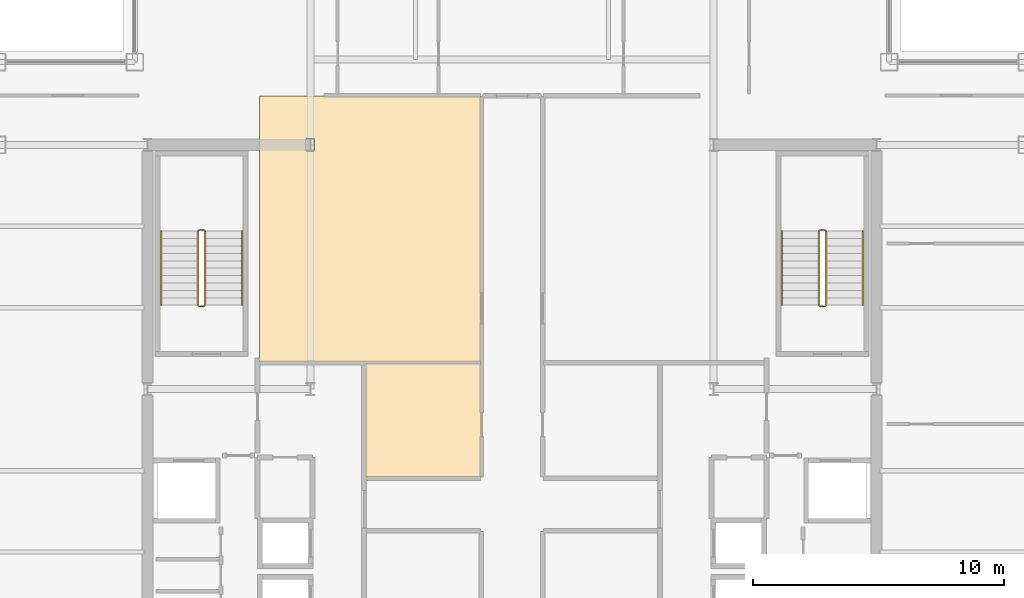
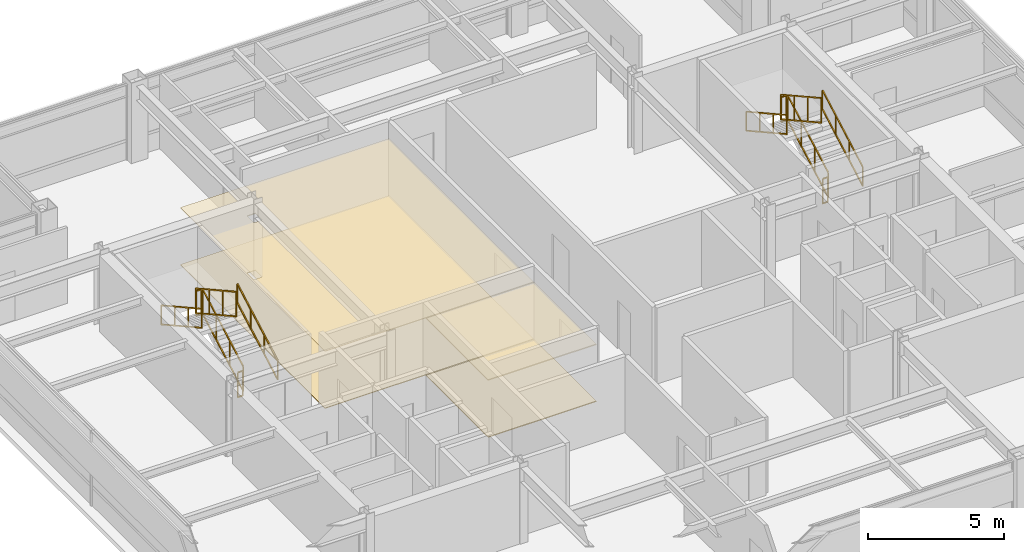
# One storey, part 26 of 26: 12 railings, 4 coverings.
"""IFC4 building model written with IfcOpenShell, lengths in metres."""

from ifc_helpers import new_model, si_unit, direction, frame, origin, origin_2d, place, context, subcontext, project, spatial, polyline, rectangle, outline, extrude, material, layer, layer_set, type_object, element, save


model = new_model("IFC4")

# Units and contexts
model_context = context("Model", 3, precision=1e-05, world=origin(), true_north=direction((0.0, 1.0)))
body_context = subcontext(model_context, "Body", "Model", "MODEL_VIEW")
ifc_project = project(units=[si_unit("LENGTHUNIT", "METRE"), si_unit("AREAUNIT", "SQUARE_METRE"), si_unit("VOLUMEUNIT", "CUBIC_METRE"), si_unit("PLANEANGLEUNIT", "RADIAN"), si_unit("MASSUNIT", "GRAM", prefix="KILO")], contexts=[model_context])

# Site, building, storey
site_placement = place(None, origin())
site = spatial("IfcSite", under=ifc_project, at=site_placement, CompositionType="ELEMENT")
building_placement = place(site_placement, origin())
building = spatial("IfcBuilding", under=site, at=building_placement, Name="Brelmoor Portico Tower", CompositionType="ELEMENT")
storey_placement = place(building_placement, frame((0.0, 0.0, 205.5)))
storey = spatial("IfcBuildingStorey", under=building, at=storey_placement, Name="L54", CompositionType="ELEMENT", Elevation=205.5)

# Coverings
ifc_material_1 = material(Name="Powder-Coated Aluminium Acoustic Baffle Ceiling", Category="aluminium")
ifc_layer_1 = layer(ifc_material_1, 0.044921875)
ifc_layer_set_1 = layer_set([ifc_layer_1], Name="Powder-Coated Aluminium Acoustic Baffle Ceiling")
covering_type_1 = type_object("IfcCoveringType", Name="CV-CEIL-BAFFLE-45", PredefinedType="CEILING", material=ifc_layer_set_1)
covering_1_placement = place(storey_placement, frame((0.0, 0.0, 2.550048828125)))
element("IfcCovering", 1, at=covering_1_placement, inside=storey, type_object=covering_type_1, Name="L54 Acoustic Suspended Ceiling 02", PredefinedType="CEILING", context=body_context, shape_type="SweptSolid", body=[
    extrude(outline(polyline([(-5.820068359375, -3.510009765625), (-5.820068359375, 1.0400390625), (-1.239990234375, 1.0400390625), (-1.239990234375, -3.510009765625), (-5.820068359375, -3.510009765625)])), origin(), (0.0, 0.0, 1.0), 0.044921875),
])
ifc_material_2 = material(Name="Micro-Perforated Aluminium Clip-In Ceiling", Category="aluminium")
ifc_layer_2 = layer(ifc_material_2, 0.031982421875)
ifc_layer_set_2 = layer_set([ifc_layer_2], Name="Micro-Perforated Aluminium Clip-In Ceiling")
covering_type_2 = type_object("IfcCoveringType", Name="CV-CEIL-METAL-32", PredefinedType="CEILING", material=ifc_layer_set_2)
covering_2_placement = place(storey_placement, frame((0.0, 0.0, 2.550048828125)))
element("IfcCovering", 2, at=covering_2_placement, inside=storey, type_object=covering_type_2, Name="L54 Acoustic Suspended Ceiling 01", PredefinedType="CEILING", context=body_context, shape_type="SweptSolid", body=[
    extrude(outline(polyline([(-10.080078125, 11.68994140625), (-1.239990234375, 11.68994140625), (-1.239990234375, 1.090087890625), (-10.080078125, 1.090087890625), (-10.080078125, 11.68994140625)]), holes=[polyline([(-7.875, 9.5), (-7.875, 10.0), (-8.22509765625, 10.0), (-8.22509765625, 9.5), (-7.875, 9.5)])]), origin(), (0.0, 0.0, 1.0), 0.031982421875),
])
ifc_material_3 = material(Name="Honed Pearl-Grey Granite Paver Finish", Category="masonry")
ifc_layer_3 = layer(ifc_material_3, 0.0380859375)
ifc_layer_set_3 = layer_set([ifc_layer_3], Name="Honed Pearl-Grey Granite Paver Finish")
covering_type_3 = type_object("IfcCoveringType", Name="CV-FLR-GRANITE-38", PredefinedType="FLOORING", material=ifc_layer_set_3)
covering_3_placement = place(storey_placement, origin())
element("IfcCovering", 3, at=covering_3_placement, inside=storey, type_object=covering_type_3, Name="L54 Architectural Floor Finish 02", PredefinedType="FLOORING", context=body_context, shape_type="SweptSolid", body=[
    extrude(outline(polyline([(-5.820068359375, -3.510009765625), (-5.820068359375, 1.0400390625), (-1.239990234375, 1.0400390625), (-1.239990234375, -3.510009765625), (-5.820068359375, -3.510009765625)])), origin(), (0.0, 0.0, 1.0), 0.0380859375),
])
ifc_material_4 = material(Name="Polished Pale-Aggregate Cementitious Terrazzo", Category="stone")
ifc_layer_4 = layer(ifc_material_4, 0.030029296875)
ifc_layer_set_4 = layer_set([ifc_layer_4], Name="Polished Pale-Aggregate Cementitious Terrazzo")
covering_type_4 = type_object("IfcCoveringType", Name="CV-FLR-TERRAZZO-30", PredefinedType="FLOORING", material=ifc_layer_set_4)
covering_4_placement = place(storey_placement, origin())
element("IfcCovering", 4, at=covering_4_placement, inside=storey, type_object=covering_type_4, Name="L54 Architectural Floor Finish 01", PredefinedType="FLOORING", context=body_context, shape_type="SweptSolid", body=[
    extrude(outline(polyline([(-10.080078125, 11.68994140625), (-1.239990234375, 11.68994140625), (-1.239990234375, 1.090087890625), (-10.080078125, 1.090087890625), (-10.080078125, 11.68994140625)]), holes=[polyline([(-7.875, 9.5), (-7.875, 10.0), (-8.22509765625, 10.0), (-8.22509765625, 9.5), (-7.875, 9.5)])]), origin(), (0.0, 0.0, 1.0), 0.030029296875),
])

# Railings
ifc_material_5 = material(Name="Painted Tubular Steel Q235B", Category="steel")
railing_type_1 = type_object("IfcRailingType", Name="RL-STAIR-GUARD", PredefinedType="GUARDRAIL", material=ifc_material_5)
railing_1_placement = place(storey_placement, frame((-12.239990234375, 3.35009765625, 0.16357421875)))
element("IfcRailing", 5, at=railing_1_placement, inside=storey, type_object=railing_type_1, Name="L54 ST-W stair guard 1", PredefinedType="GUARDRAIL", context=body_context, shape_type="SweptSolid", body=[
    extrude(rectangle(XDim=0.048095703125, YDim=0.048095703125, at=origin_2d()), frame((0.0, 0.0, 1.1259765625), z_axis=(0.0, 0.874457516365, 0.485102104791), x_axis=(-1.0, 0.0, 0.0)), (0.0, 0.0, 1.0), 3.37353515625),
    extrude(rectangle(XDim=0.048095703125, YDim=0.048095703125, at=origin_2d()), frame((0.0, 0.0, 0.02392578125), z_axis=(0.0, 0.874457516365, 0.485102104791), x_axis=(-1.0, 0.0, 0.0)), (0.0, 0.0, 1.0), 3.37353515625),
    extrude(rectangle(XDim=0.0419921875, YDim=0.0419921875, at=origin_2d()), origin(), (0.0, 0.0, 1.0), 1.101806640625),
    extrude(rectangle(XDim=0.0419921875, YDim=0.0419921875, at=origin_2d()), frame((0.0, 0.9833984375, 0.54541015625)), (0.0, 0.0, 1.0), 1.101806640625),
    extrude(rectangle(XDim=0.0419921875, YDim=0.0419921875, at=origin_2d()), frame((0.0, 1.966552734375, 1.091064453125)), (0.0, 0.0, 1.0), 1.101806640625),
    extrude(rectangle(XDim=0.0419921875, YDim=0.0419921875, at=origin_2d()), frame((0.0, 2.949951171875, 1.636474609375)), (0.0, 0.0, 1.0), 1.101806640625),
])
railing_2_placement = place(storey_placement, frame((-12.2900390625, 6.35009765625, 1.800048828125)))
element("IfcRailing", 6, at=railing_2_placement, inside=storey, type_object=railing_type_1, Name="L54 ST-W stair guard 2", PredefinedType="GUARDRAIL", context=body_context, shape_type="SweptSolid", body=[
    extrude(rectangle(XDim=0.048095703125, YDim=0.048095703125, at=origin_2d()), frame((0.0, 0.0, 1.1259765625), z_axis=(-1.0, 0.0, 0.0), x_axis=(0.0, -1.0, 0.0)), (0.0, 0.0, 1.0), 0.199951171875),
    extrude(rectangle(XDim=0.048095703125, YDim=0.048095703125, at=origin_2d()), frame((0.0, 0.0, 0.02392578125), z_axis=(-1.0, 0.0, 0.0), x_axis=(0.0, -1.0, 0.0)), (0.0, 0.0, 1.0), 0.199951171875),
    extrude(rectangle(XDim=0.0419921875, YDim=0.0419921875, at=origin_2d()), origin(), (0.0, 0.0, 1.0), 1.101806640625),
    extrude(rectangle(XDim=0.0419921875, YDim=0.0419921875, at=origin_2d()), frame((-0.199951171875, 0.0, 0.0)), (0.0, 0.0, 1.0), 1.101806640625),
])
railing_3_placement = place(storey_placement, frame((-12.5400390625, 6.300048828125, 1.963623046875)))
element("IfcRailing", 7, at=railing_3_placement, inside=storey, type_object=railing_type_1, Name="L54 ST-W stair guard 3", PredefinedType="GUARDRAIL", context=body_context, shape_type="SweptSolid", body=[
    extrude(rectangle(XDim=0.048095703125, YDim=0.048095703125, at=origin_2d()), frame((0.0, 0.0, 1.1259765625), z_axis=(0.0, -0.874457516365, 0.485102104791), x_axis=(1.0, 0.0, 0.0)), (0.0, 0.0, 1.0), 3.37353515625),
    extrude(rectangle(XDim=0.048095703125, YDim=0.048095703125, at=origin_2d()), frame((0.0, 0.0, 0.02392578125), z_axis=(0.0, -0.874457516365, 0.485102104791), x_axis=(1.0, 0.0, 0.0)), (0.0, 0.0, 1.0), 3.37353515625),
    extrude(rectangle(XDim=0.0419921875, YDim=0.0419921875, at=origin_2d()), origin(), (0.0, 0.0, 1.0), 1.101806640625),
    extrude(rectangle(XDim=0.0419921875, YDim=0.0419921875, at=origin_2d()), frame((0.0, -0.9833984375, 0.54541015625)), (0.0, 0.0, 1.0), 1.101806640625),
    extrude(rectangle(XDim=0.0419921875, YDim=0.0419921875, at=origin_2d()), frame((0.0, -1.966552734375, 1.091064453125)), (0.0, 0.0, 1.0), 1.101806640625),
    extrude(rectangle(XDim=0.0419921875, YDim=0.0419921875, at=origin_2d()), frame((0.0, -2.949951171875, 1.636474609375)), (0.0, 0.0, 1.0), 1.101806640625),
])
railing_4_placement = place(storey_placement, frame((-12.2900390625, 3.300048828125, 0.0)))
element("IfcRailing", 8, at=railing_4_placement, inside=storey, type_object=railing_type_1, Name="L54 ST-W stair guard 4", PredefinedType="GUARDRAIL", context=body_context, shape_type="SweptSolid", body=[
    extrude(rectangle(XDim=0.048095703125, YDim=0.048095703125, at=origin_2d()), frame((0.0, 0.0, 1.1259765625), z_axis=(-1.0, 0.0, 0.0), x_axis=(0.0, -1.0, 0.0)), (0.0, 0.0, 1.0), 0.199951171875),
    extrude(rectangle(XDim=0.048095703125, YDim=0.048095703125, at=origin_2d()), frame((0.0, 0.0, 0.02392578125), z_axis=(-1.0, 0.0, 0.0), x_axis=(0.0, -1.0, 0.0)), (0.0, 0.0, 1.0), 0.199951171875),
    extrude(rectangle(XDim=0.0419921875, YDim=0.0419921875, at=origin_2d()), origin(), (0.0, 0.0, 1.0), 1.101806640625),
    extrude(rectangle(XDim=0.0419921875, YDim=0.0419921875, at=origin_2d()), frame((-0.199951171875, 0.0, 0.0)), (0.0, 0.0, 1.0), 1.101806640625),
])
railing_5_placement = place(storey_placement, frame((12.5400390625, 3.35009765625, 0.16357421875)))
element("IfcRailing", 9, at=railing_5_placement, inside=storey, type_object=railing_type_1, Name="L54 ST-E stair guard 1", PredefinedType="GUARDRAIL", context=body_context, shape_type="SweptSolid", body=[
    extrude(rectangle(XDim=0.048095703125, YDim=0.048095703125, at=origin_2d()), frame((0.0, 0.0, 1.1259765625), z_axis=(0.0, 0.874457516365, 0.485102104791), x_axis=(-1.0, 0.0, 0.0)), (0.0, 0.0, 1.0), 3.37353515625),
    extrude(rectangle(XDim=0.048095703125, YDim=0.048095703125, at=origin_2d()), frame((0.0, 0.0, 0.02392578125), z_axis=(0.0, 0.874457516365, 0.485102104791), x_axis=(-1.0, 0.0, 0.0)), (0.0, 0.0, 1.0), 3.37353515625),
    extrude(rectangle(XDim=0.0419921875, YDim=0.0419921875, at=origin_2d()), origin(), (0.0, 0.0, 1.0), 1.101806640625),
    extrude(rectangle(XDim=0.0419921875, YDim=0.0419921875, at=origin_2d()), frame((0.0, 0.9833984375, 0.54541015625)), (0.0, 0.0, 1.0), 1.101806640625),
    extrude(rectangle(XDim=0.0419921875, YDim=0.0419921875, at=origin_2d()), frame((0.0, 1.966552734375, 1.091064453125)), (0.0, 0.0, 1.0), 1.101806640625),
    extrude(rectangle(XDim=0.0419921875, YDim=0.0419921875, at=origin_2d()), frame((0.0, 2.949951171875, 1.636474609375)), (0.0, 0.0, 1.0), 1.101806640625),
])
railing_6_placement = place(storey_placement, frame((12.489990234375, 6.35009765625, 1.800048828125)))
element("IfcRailing", 10, at=railing_6_placement, inside=storey, type_object=railing_type_1, Name="L54 ST-E stair guard 2", PredefinedType="GUARDRAIL", context=body_context, shape_type="SweptSolid", body=[
    extrude(rectangle(XDim=0.048095703125, YDim=0.048095703125, at=origin_2d()), frame((0.0, 0.0, 1.1259765625), z_axis=(-1.0, 0.0, 0.0), x_axis=(0.0, -1.0, 0.0)), (0.0, 0.0, 1.0), 0.199951171875),
    extrude(rectangle(XDim=0.048095703125, YDim=0.048095703125, at=origin_2d()), frame((0.0, 0.0, 0.02392578125), z_axis=(-1.0, 0.0, 0.0), x_axis=(0.0, -1.0, 0.0)), (0.0, 0.0, 1.0), 0.199951171875),
    extrude(rectangle(XDim=0.0419921875, YDim=0.0419921875, at=origin_2d()), origin(), (0.0, 0.0, 1.0), 1.101806640625),
    extrude(rectangle(XDim=0.0419921875, YDim=0.0419921875, at=origin_2d()), frame((-0.199951171875, 0.0, 0.0)), (0.0, 0.0, 1.0), 1.101806640625),
])
railing_7_placement = place(storey_placement, frame((12.239990234375, 6.300048828125, 1.963623046875)))
element("IfcRailing", 11, at=railing_7_placement, inside=storey, type_object=railing_type_1, Name="L54 ST-E stair guard 3", PredefinedType="GUARDRAIL", context=body_context, shape_type="SweptSolid", body=[
    extrude(rectangle(XDim=0.048095703125, YDim=0.048095703125, at=origin_2d()), frame((0.0, 0.0, 1.1259765625), z_axis=(0.0, -0.874457516365, 0.485102104791), x_axis=(1.0, 0.0, 0.0)), (0.0, 0.0, 1.0), 3.37353515625),
    extrude(rectangle(XDim=0.048095703125, YDim=0.048095703125, at=origin_2d()), frame((0.0, 0.0, 0.02392578125), z_axis=(0.0, -0.874457516365, 0.485102104791), x_axis=(1.0, 0.0, 0.0)), (0.0, 0.0, 1.0), 3.37353515625),
    extrude(rectangle(XDim=0.0419921875, YDim=0.0419921875, at=origin_2d()), origin(), (0.0, 0.0, 1.0), 1.101806640625),
    extrude(rectangle(XDim=0.0419921875, YDim=0.0419921875, at=origin_2d()), frame((0.0, -0.9833984375, 0.54541015625)), (0.0, 0.0, 1.0), 1.101806640625),
    extrude(rectangle(XDim=0.0419921875, YDim=0.0419921875, at=origin_2d()), frame((0.0, -1.966552734375, 1.091064453125)), (0.0, 0.0, 1.0), 1.101806640625),
    extrude(rectangle(XDim=0.0419921875, YDim=0.0419921875, at=origin_2d()), frame((0.0, -2.949951171875, 1.636474609375)), (0.0, 0.0, 1.0), 1.101806640625),
])
railing_8_placement = place(storey_placement, frame((12.489990234375, 3.300048828125, 0.0)))
element("IfcRailing", 12, at=railing_8_placement, inside=storey, type_object=railing_type_1, Name="L54 ST-E stair guard 4", PredefinedType="GUARDRAIL", context=body_context, shape_type="SweptSolid", body=[
    extrude(rectangle(XDim=0.048095703125, YDim=0.048095703125, at=origin_2d()), frame((0.0, 0.0, 1.1259765625), z_axis=(-1.0, 0.0, 0.0), x_axis=(0.0, -1.0, 0.0)), (0.0, 0.0, 1.0), 0.199951171875),
    extrude(rectangle(XDim=0.048095703125, YDim=0.048095703125, at=origin_2d()), frame((0.0, 0.0, 0.02392578125), z_axis=(-1.0, 0.0, 0.0), x_axis=(0.0, -1.0, 0.0)), (0.0, 0.0, 1.0), 0.199951171875),
    extrude(rectangle(XDim=0.0419921875, YDim=0.0419921875, at=origin_2d()), origin(), (0.0, 0.0, 1.0), 1.101806640625),
    extrude(rectangle(XDim=0.0419921875, YDim=0.0419921875, at=origin_2d()), frame((-0.199951171875, 0.0, 0.0)), (0.0, 0.0, 1.0), 1.101806640625),
])
ifc_material_6 = material(Name="Brushed Stainless Steel 304", Category="steel")
railing_type_2 = type_object("IfcRailingType", Name="RL-STAIR-HANDRAIL", PredefinedType="HANDRAIL", material=ifc_material_6)
railing_9_placement = place(storey_placement, frame((-10.780029296875, 3.35009765625, 0.16357421875)))
element("IfcRailing", 13, at=railing_9_placement, inside=storey, type_object=railing_type_2, Name="L54 ST-W stair handrail 1", PredefinedType="HANDRAIL", context=body_context, shape_type="SweptSolid", body=[
    extrude(rectangle(XDim=0.048095703125, YDim=0.048095703125, at=origin_2d()), frame((0.0, 0.0, 0.8759765625), z_axis=(0.0, 0.874457516365, 0.485102104791), x_axis=(-1.0, 0.0, 0.0)), (0.0, 0.0, 1.0), 3.37353515625),
    extrude(rectangle(XDim=0.048095703125, YDim=0.048095703125, at=origin_2d()), frame((0.0, 0.0, 0.02392578125), z_axis=(0.0, 0.874457516365, 0.485102104791), x_axis=(-1.0, 0.0, 0.0)), (0.0, 0.0, 1.0), 3.37353515625),
    extrude(rectangle(XDim=0.0419921875, YDim=0.0419921875, at=origin_2d()), origin(), (0.0, 0.0, 1.0), 0.851806640625),
    extrude(rectangle(XDim=0.0419921875, YDim=0.0419921875, at=origin_2d()), frame((0.0, 0.9833984375, 0.54541015625)), (0.0, 0.0, 1.0), 0.851806640625),
    extrude(rectangle(XDim=0.0419921875, YDim=0.0419921875, at=origin_2d()), frame((0.0, 1.966552734375, 1.091064453125)), (0.0, 0.0, 1.0), 0.851806640625),
    extrude(rectangle(XDim=0.0419921875, YDim=0.0419921875, at=origin_2d()), frame((0.0, 2.949951171875, 1.636474609375)), (0.0, 0.0, 1.0), 0.851806640625),
])
railing_10_placement = place(storey_placement, frame((-14.0, 6.300048828125, 1.963623046875)))
element("IfcRailing", 14, at=railing_10_placement, inside=storey, type_object=railing_type_2, Name="L54 ST-W stair handrail 2", PredefinedType="HANDRAIL", context=body_context, shape_type="SweptSolid", body=[
    extrude(rectangle(XDim=0.048095703125, YDim=0.048095703125, at=origin_2d()), frame((0.0, 0.0, 0.8759765625), z_axis=(0.0, -0.874457516365, 0.485102104791), x_axis=(1.0, 0.0, 0.0)), (0.0, 0.0, 1.0), 3.37353515625),
    extrude(rectangle(XDim=0.048095703125, YDim=0.048095703125, at=origin_2d()), frame((0.0, 0.0, 0.02392578125), z_axis=(0.0, -0.874457516365, 0.485102104791), x_axis=(1.0, 0.0, 0.0)), (0.0, 0.0, 1.0), 3.37353515625),
    extrude(rectangle(XDim=0.0419921875, YDim=0.0419921875, at=origin_2d()), origin(), (0.0, 0.0, 1.0), 0.851806640625),
    extrude(rectangle(XDim=0.0419921875, YDim=0.0419921875, at=origin_2d()), frame((0.0, -0.9833984375, 0.54541015625)), (0.0, 0.0, 1.0), 0.851806640625),
    extrude(rectangle(XDim=0.0419921875, YDim=0.0419921875, at=origin_2d()), frame((0.0, -1.966552734375, 1.091064453125)), (0.0, 0.0, 1.0), 0.851806640625),
    extrude(rectangle(XDim=0.0419921875, YDim=0.0419921875, at=origin_2d()), frame((0.0, -2.949951171875, 1.636474609375)), (0.0, 0.0, 1.0), 0.851806640625),
])
railing_11_placement = place(storey_placement, frame((14.0, 3.35009765625, 0.16357421875)))
element("IfcRailing", 15, at=railing_11_placement, inside=storey, type_object=railing_type_2, Name="L54 ST-E stair handrail 1", PredefinedType="HANDRAIL", context=body_context, shape_type="SweptSolid", body=[
    extrude(rectangle(XDim=0.048095703125, YDim=0.048095703125, at=origin_2d()), frame((0.0, 0.0, 0.8759765625), z_axis=(0.0, 0.874457516365, 0.485102104791), x_axis=(-1.0, 0.0, 0.0)), (0.0, 0.0, 1.0), 3.37353515625),
    extrude(rectangle(XDim=0.048095703125, YDim=0.048095703125, at=origin_2d()), frame((0.0, 0.0, 0.02392578125), z_axis=(0.0, 0.874457516365, 0.485102104791), x_axis=(-1.0, 0.0, 0.0)), (0.0, 0.0, 1.0), 3.37353515625),
    extrude(rectangle(XDim=0.0419921875, YDim=0.0419921875, at=origin_2d()), origin(), (0.0, 0.0, 1.0), 0.851806640625),
    extrude(rectangle(XDim=0.0419921875, YDim=0.0419921875, at=origin_2d()), frame((0.0, 0.9833984375, 0.54541015625)), (0.0, 0.0, 1.0), 0.851806640625),
    extrude(rectangle(XDim=0.0419921875, YDim=0.0419921875, at=origin_2d()), frame((0.0, 1.966552734375, 1.091064453125)), (0.0, 0.0, 1.0), 0.851806640625),
    extrude(rectangle(XDim=0.0419921875, YDim=0.0419921875, at=origin_2d()), frame((0.0, 2.949951171875, 1.636474609375)), (0.0, 0.0, 1.0), 0.851806640625),
])
railing_12_placement = place(storey_placement, frame((10.780029296875, 6.300048828125, 1.963623046875)))
element("IfcRailing", 16, at=railing_12_placement, inside=storey, type_object=railing_type_2, Name="L54 ST-E stair handrail 2", PredefinedType="HANDRAIL", context=body_context, shape_type="SweptSolid", body=[
    extrude(rectangle(XDim=0.048095703125, YDim=0.048095703125, at=origin_2d()), frame((0.0, 0.0, 0.8759765625), z_axis=(0.0, -0.874457516365, 0.485102104791), x_axis=(1.0, 0.0, 0.0)), (0.0, 0.0, 1.0), 3.37353515625),
    extrude(rectangle(XDim=0.048095703125, YDim=0.048095703125, at=origin_2d()), frame((0.0, 0.0, 0.02392578125), z_axis=(0.0, -0.874457516365, 0.485102104791), x_axis=(1.0, 0.0, 0.0)), (0.0, 0.0, 1.0), 3.37353515625),
    extrude(rectangle(XDim=0.0419921875, YDim=0.0419921875, at=origin_2d()), origin(), (0.0, 0.0, 1.0), 0.851806640625),
    extrude(rectangle(XDim=0.0419921875, YDim=0.0419921875, at=origin_2d()), frame((0.0, -0.9833984375, 0.54541015625)), (0.0, 0.0, 1.0), 0.851806640625),
    extrude(rectangle(XDim=0.0419921875, YDim=0.0419921875, at=origin_2d()), frame((0.0, -1.966552734375, 1.091064453125)), (0.0, 0.0, 1.0), 0.851806640625),
    extrude(rectangle(XDim=0.0419921875, YDim=0.0419921875, at=origin_2d()), frame((0.0, -2.949951171875, 1.636474609375)), (0.0, 0.0, 1.0), 0.851806640625),
])

save(model, "model.ifc")
